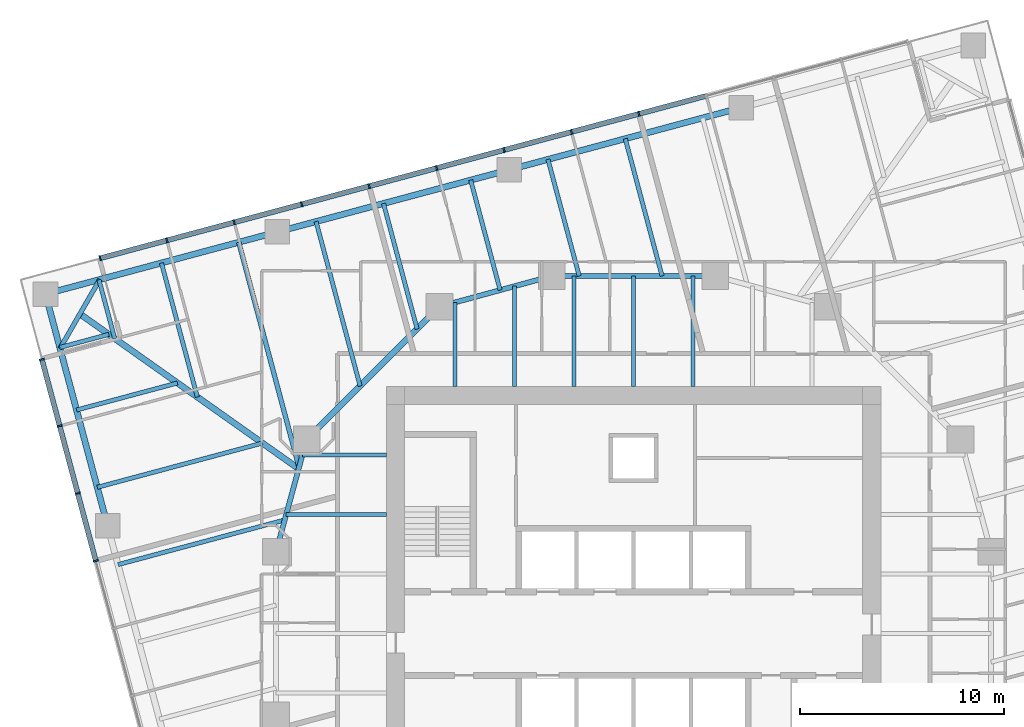
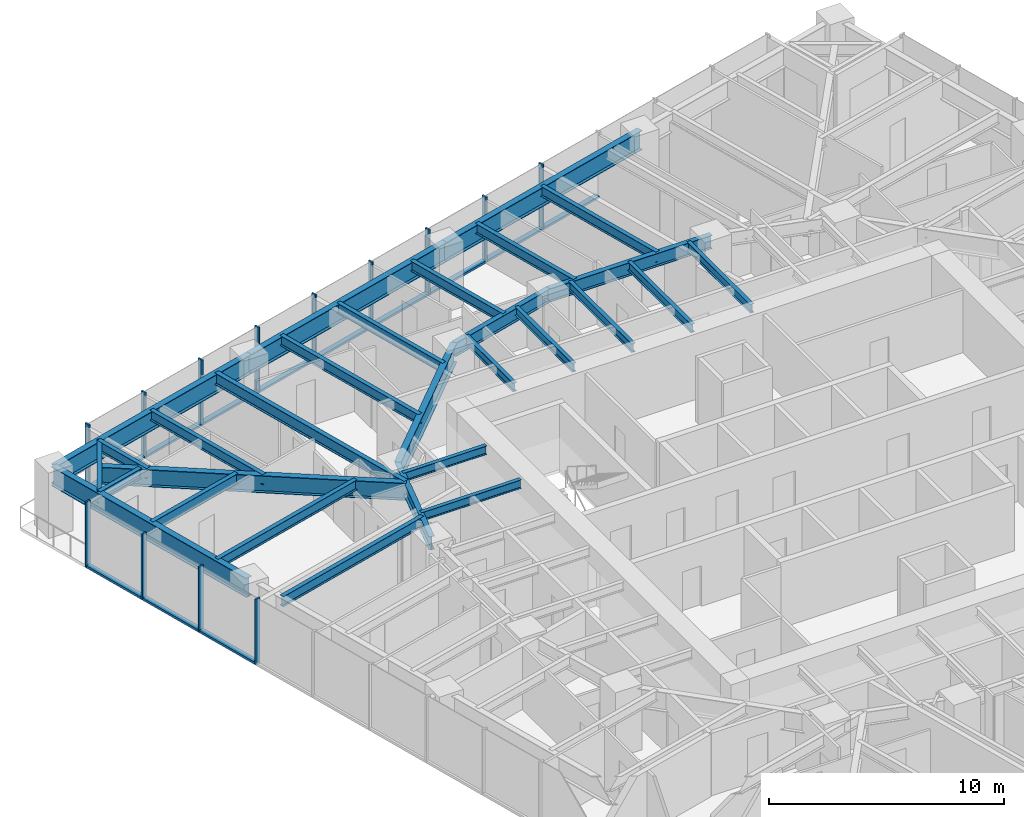
# One storey, part 5 of 15: 29 beams, 25 members, 2 elements without a shape of their own.
"""IFC4 building model written with IfcOpenShell, lengths in metres."""

from ifc_helpers import new_model, si_unit, direction, frame, origin, origin_2d, place, context, subcontext, project, spatial, rectangle, i_section, extrude, material, material_profile, profile_set, type_object, element, aggregate, save


model = new_model("IFC4")

# Units and contexts
model_context = context("Model", 3, precision=1e-05, world=origin(), true_north=direction((0.0, 1.0)))
body_context = subcontext(model_context, "Body", "Model", "MODEL_VIEW")
ifc_project = project(units=[si_unit("LENGTHUNIT", "METRE"), si_unit("AREAUNIT", "SQUARE_METRE"), si_unit("VOLUMEUNIT", "CUBIC_METRE"), si_unit("PLANEANGLEUNIT", "RADIAN"), si_unit("MASSUNIT", "GRAM", prefix="KILO")], contexts=[model_context])

# Site, building, storey
site_placement = place(None, origin())
site = spatial("IfcSite", under=ifc_project, at=site_placement, CompositionType="ELEMENT")
building_placement = place(site_placement, origin())
building = spatial("IfcBuilding", under=site, at=building_placement, Name="Torsade Residences", CompositionType="ELEMENT")
storey_placement = place(building_placement, frame((0.0, 0.0, 132.0)))
storey = spatial("IfcBuildingStorey", under=building, at=storey_placement, Name="L36", CompositionType="ELEMENT", Elevation=132.0)

# Beams
ifc_material_1 = material(Name="Steel grade 300", Category="steel")
ifc_material_profile_1 = material_profile(ifc_material_1, i_section(OverallWidth=0.300048828125, OverallDepth=0.89990234375, WebThickness=0.011962890625, FlangeThickness=0.02490234375, at=origin_2d()), Name="900WB175")
ifc_profile_set_1 = profile_set([ifc_material_profile_1], Name="Steel grade 300")
beam_type_1 = type_object("IfcBeamType", Name="CORNER GIRDER 900WB175", PredefinedType="BEAM", material=ifc_profile_set_1)
beam_1_placement = place(storey_placement, frame((12.902587890625, 45.644775390625, 2.800048828125), z_axis=(0.816261084801, -0.577683167004, 0.0), x_axis=(0.577683167004, 0.816261084801, 0.0)))
element("IfcBeam", 1, at=beam_1_placement, inside=storey, type_object=beam_type_1, Name="Corner girder 13 L37", PredefinedType="BEAM", context=body_context, shape_type="SweptSolid", body=[
    extrude(i_section(OverallWidth=0.300048828125, OverallDepth=0.89990234375, WebThickness=0.011962890625, FlangeThickness=0.02490234375, at=origin_2d()), origin(), (0.0, 0.0, 1.0), 13.116943359375),
])
ifc_material_2 = material(Name="Steel grade 300", Category="steel")
ifc_material_profile_2 = material_profile(ifc_material_2, i_section(OverallWidth=0.22802734375, OverallDepth=0.60205078125, WebThickness=0.010498046875, FlangeThickness=0.014892578125, FilletRadius=0.013916015625, at=origin_2d()), Name="610UB101")
ifc_profile_set_2 = profile_set([ifc_material_profile_2], Name="Steel grade 300")
beam_type_2 = type_object("IfcBeamType", Name="CORNER TRIMMER 610UB101", PredefinedType="BEAM", material=ifc_profile_set_2)
beam_2_placement = place(storey_placement, frame((11.93017578125, 43.960693359375, 2.948974609375), z_axis=(0.499994147244, 0.866028782848, 0.0), x_axis=(-0.866028782848, 0.499994147244, 0.0)))
element("IfcBeam", 2, at=beam_2_placement, inside=storey, type_object=beam_type_2, Name="Corner trimmer 13 L37", PredefinedType="BEAM", context=body_context, shape_type="SweptSolid", body=[
    extrude(i_section(OverallWidth=0.22802734375, OverallDepth=0.60205078125, WebThickness=0.010498046875, FlangeThickness=0.014892578125, FilletRadius=0.013916015625, at=origin_2d()), origin(), (0.0, 0.0, 1.0), 3.88916015625),
])
ifc_material_3 = material(Name="Steel grade 300", Category="steel")
ifc_material_profile_3 = material_profile(ifc_material_3, i_section(OverallWidth=0.300048828125, OverallDepth=1.0, WebThickness=0.01611328125, FlangeThickness=0.028076171875, at=origin_2d()), Name="1000WB215")
ifc_profile_set_3 = profile_set([ifc_material_profile_3], Name="Steel grade 300")
beam_type_3 = type_object("IfcBeamType", Name="EDGE BEAM 1000WB215", PredefinedType="SPANDREL", material=ifc_profile_set_3)
for number, where, z_axis, x_axis, name in (
    (3, (45.267333984375, 55.740478515625, 2.75), (-0.965922824118, -0.258830249097, 0.0), (0.258830249097, -0.965922824118, 0.0), "Edge beam 10 L37"),
    (4, (33.917724609375, 52.69921875, 2.75), (-0.965928018634, -0.258810863021, 0.0), (0.258810863021, -0.965928018634, 0.0), "Edge beam 11 L37"),
    (5, (22.568115234375, 49.658203125, 2.75), (-0.965922824118, -0.258830249097, 0.0), (0.258830249097, -0.965922824118, 0.0), "Edge beam 12 L37"),
    (6, (11.218505859375, 46.616943359375, 2.75), (0.258810863021, -0.965928018634, 0.0), (0.965928018634, 0.258810863021, 0.0), "Edge beam 13 L37"),
):
    element("IfcBeam", number, at=place(storey_placement, frame(where, z_axis=z_axis, x_axis=x_axis)), inside=storey, type_object=beam_type_3, Name=name, PredefinedType="SPANDREL", context=body_context, shape_type="SweptSolid", body=[
        extrude(i_section(OverallWidth=0.300048828125, OverallDepth=1.0, WebThickness=0.01611328125, FlangeThickness=0.028076171875, at=origin_2d()), origin(), (0.0, 0.0, 1.0), 11.75),
    ])
ifc_material_4 = material(Name="Steel grade 300", Category="steel")
ifc_material_profile_4 = material_profile(ifc_material_4, i_section(OverallWidth=0.18994140625, OverallDepth=0.4541015625, WebThickness=0.008544921875, FlangeThickness=0.0126953125, FilletRadius=0.011474609375, at=origin_2d()), Name="460UB67.1")
ifc_profile_set_4 = profile_set([ifc_material_profile_4], Name="Steel grade 300")
beam_type_4 = type_object("IfcBeamType", Name="INNER FLOOR BEAM 460UB67.1", PredefinedType="JOIST", material=ifc_profile_set_4)
beam_3_placement = place(storey_placement, frame((31.262451171875, 42.10009765625, 3.02294921875), z_axis=(0.0, 1.0, 0.0), x_axis=(-1.0, 0.0, 0.0)))
element("IfcBeam", 7, at=beam_3_placement, inside=storey, type_object=beam_type_4, Name="Inner floor beam IN01 L37", PredefinedType="JOIST", context=body_context, shape_type="SweptSolid", body=[
    extrude(i_section(OverallWidth=0.18994140625, OverallDepth=0.4541015625, WebThickness=0.008544921875, FlangeThickness=0.0126953125, FilletRadius=0.011474609375, at=origin_2d()), origin(), (0.0, 0.0, 1.0), 4.10791015625),
])
beam_4_placement = place(storey_placement, frame((34.175048828125, 42.10009765625, 3.02294921875), z_axis=(0.0, 1.0, 0.0), x_axis=(-1.0, 0.0, 0.0)))
element("IfcBeam", 8, at=beam_4_placement, inside=storey, type_object=beam_type_4, Name="Inner floor beam IN02 L37", PredefinedType="JOIST", context=body_context, shape_type="SweptSolid", body=[
    extrude(i_section(OverallWidth=0.18994140625, OverallDepth=0.4541015625, WebThickness=0.008544921875, FlangeThickness=0.0126953125, FilletRadius=0.011474609375, at=origin_2d()), origin(), (0.0, 0.0, 1.0), 4.902099609375),
])
for number, where, z_axis, x_axis, name in (
    (9, (37.08740234375, 42.10009765625, 3.02294921875), (0.0, 1.0, 0.0), (-1.0, 0.0, 0.0), "Inner floor beam IN03 L37"),
    (10, (40.0, 42.10009765625, 3.02294921875), (0.0, 1.0, 0.0), (-1.0, 0.0, 0.0), "Inner floor beam IN04 L37"),
    (11, (42.91259765625, 42.10009765625, 3.02294921875), (0.0, 1.0, 0.0), (-1.0, 0.0, 0.0), "Inner floor beam IN05 L37"),
):
    element("IfcBeam", number, at=place(storey_placement, frame(where, z_axis=z_axis, x_axis=x_axis)), inside=storey, type_object=beam_type_4, Name=name, PredefinedType="JOIST", context=body_context, shape_type="SweptSolid", body=[
        extrude(i_section(OverallWidth=0.18994140625, OverallDepth=0.4541015625, WebThickness=0.008544921875, FlangeThickness=0.0126953125, FilletRadius=0.011474609375, at=origin_2d()), origin(), (0.0, 0.0, 1.0), 5.39990234375),
    ])
beam_5_placement = place(storey_placement, frame((27.89990234375, 38.737548828125, 3.02294921875), z_axis=(-1.0, 0.0, 0.0), x_axis=(0.0, -1.0, 0.0)))
element("IfcBeam", 12, at=beam_5_placement, inside=storey, type_object=beam_type_4, Name="Inner floor beam IW01 L37", PredefinedType="JOIST", context=body_context, shape_type="SweptSolid", body=[
    extrude(i_section(OverallWidth=0.18994140625, OverallDepth=0.4541015625, WebThickness=0.008544921875, FlangeThickness=0.0126953125, FilletRadius=0.011474609375, at=origin_2d()), origin(), (0.0, 0.0, 1.0), 4.10791015625),
])
beam_6_placement = place(storey_placement, frame((27.89990234375, 35.824951171875, 3.02294921875), z_axis=(-1.0, 0.0, 0.0), x_axis=(0.0, -1.0, 0.0)))
element("IfcBeam", 13, at=beam_6_placement, inside=storey, type_object=beam_type_4, Name="Inner floor beam IW02 L37", PredefinedType="JOIST", context=body_context, shape_type="SweptSolid", body=[
    extrude(i_section(OverallWidth=0.18994140625, OverallDepth=0.4541015625, WebThickness=0.008544921875, FlangeThickness=0.0126953125, FilletRadius=0.011474609375, at=origin_2d()), origin(), (0.0, 0.0, 1.0), 4.902099609375),
])

# Curtain wall, members
ifc_material_5 = material(Name="Aluminium and glass", Category="aluminium")
curtain_wall_type = type_object("IfcCurtainWallType", Name="FRITTED GLASS CURTAIN WALL MID ZONE", PredefinedType="NOTDEFINED", material=ifc_material_5)
curtain_wall_1_placement = place(storey_placement, origin())
curtain_wall_1 = element("IfcCurtainWall", 14, at=curtain_wall_1_placement, inside=storey, type_object=curtain_wall_type, Name="Curtain wall L36 face 7", PredefinedType="NOTDEFINED")
ifc_material_6 = material(Name="Aluminium mullion", Category="aluminium")
ifc_material_profile_5 = material_profile(ifc_material_6, rectangle(XDim=0.25, YDim=0.080078125, at=origin_2d()), Name="MID ZONE CURTAIN WALL MULLION 250x80")
ifc_profile_set_5 = profile_set([ifc_material_profile_5], Name="Aluminium mullion")
member_type_1 = type_object("IfcMemberType", Name="MID ZONE CURTAIN WALL MULLION 250x80", PredefinedType="MULLION", material=ifc_profile_set_5)
member_1_placement = place(storey_placement, frame((40.259521484375, 55.433837890625, 0.0), z_axis=(0.0, 0.0, 1.0), x_axis=(0.258819047783, -0.965925825571, 0.0)))
member_1 = element("IfcMember", 15, at=member_1_placement, type_object=member_type_1, Name="Mullion 5", PredefinedType="MULLION", context=body_context, shape_type="SweptSolid", body=[
    extrude(rectangle(XDim=0.25, YDim=0.080078125, at=origin_2d()), origin(), (0.0, 0.0, 1.0), 3.39990234375),
])
member_2_placement = place(storey_placement, frame((36.959228515625, 54.549560546875, 0.0), z_axis=(0.0, 0.0, 1.0), x_axis=(0.258819047783, -0.965925825571, 0.0)))
member_2 = element("IfcMember", 16, at=member_2_placement, type_object=member_type_1, Name="Mullion 6", PredefinedType="MULLION", context=body_context, shape_type="SweptSolid", body=[
    extrude(rectangle(XDim=0.25, YDim=0.080078125, at=origin_2d()), origin(), (0.0, 0.0, 1.0), 3.39990234375),
])
member_3_placement = place(storey_placement, frame((33.658935546875, 53.665283203125, 0.0), z_axis=(0.0, 0.0, 1.0), x_axis=(0.258819047783, -0.965925825571, 0.0)))
member_3 = element("IfcMember", 17, at=member_3_placement, type_object=member_type_1, Name="Mullion 7", PredefinedType="MULLION", context=body_context, shape_type="SweptSolid", body=[
    extrude(rectangle(XDim=0.25, YDim=0.080078125, at=origin_2d()), origin(), (0.0, 0.0, 1.0), 3.39990234375),
])
member_4_placement = place(storey_placement, frame((30.358642578125, 52.781005859375, 0.0), z_axis=(0.0, 0.0, 1.0), x_axis=(0.258819047783, -0.965925825571, 0.0)))
member_4 = element("IfcMember", 18, at=member_4_placement, type_object=member_type_1, Name="Mullion 8", PredefinedType="MULLION", context=body_context, shape_type="SweptSolid", body=[
    extrude(rectangle(XDim=0.25, YDim=0.080078125, at=origin_2d()), origin(), (0.0, 0.0, 1.0), 3.39990234375),
])
member_5_placement = place(storey_placement, frame((27.058349609375, 51.896484375, 0.0), z_axis=(0.0, 0.0, 1.0), x_axis=(0.258819047783, -0.965925825571, 0.0)))
member_5 = element("IfcMember", 19, at=member_5_placement, type_object=member_type_1, Name="Mullion 9", PredefinedType="MULLION", context=body_context, shape_type="SweptSolid", body=[
    extrude(rectangle(XDim=0.25, YDim=0.080078125, at=origin_2d()), origin(), (0.0, 0.0, 1.0), 3.39990234375),
])
member_6_placement = place(storey_placement, frame((23.75830078125, 51.01220703125, 0.0), z_axis=(0.0, 0.0, 1.0), x_axis=(0.258819047783, -0.965925825571, 0.0)))
member_6 = element("IfcMember", 20, at=member_6_placement, type_object=member_type_1, Name="Mullion 10", PredefinedType="MULLION", context=body_context, shape_type="SweptSolid", body=[
    extrude(rectangle(XDim=0.25, YDim=0.080078125, at=origin_2d()), origin(), (0.0, 0.0, 1.0), 3.39990234375),
])
member_7_placement = place(storey_placement, frame((20.4580078125, 50.1279296875, 0.0), z_axis=(0.0, 0.0, 1.0), x_axis=(0.258819047783, -0.965925825571, 0.0)))
member_7 = element("IfcMember", 21, at=member_7_placement, type_object=member_type_1, Name="Mullion 11", PredefinedType="MULLION", context=body_context, shape_type="SweptSolid", body=[
    extrude(rectangle(XDim=0.25, YDim=0.080078125, at=origin_2d()), origin(), (0.0, 0.0, 1.0), 3.39990234375),
])
member_8_placement = place(storey_placement, frame((17.15771484375, 49.24365234375, 0.0), z_axis=(0.0, 0.0, 1.0), x_axis=(0.258819047783, -0.965925825571, 0.0)))
member_8 = element("IfcMember", 22, at=member_8_placement, type_object=member_type_1, Name="Mullion 12", PredefinedType="MULLION", context=body_context, shape_type="SweptSolid", body=[
    extrude(rectangle(XDim=0.25, YDim=0.080078125, at=origin_2d()), origin(), (0.0, 0.0, 1.0), 3.39990234375),
])
member_9_placement = place(storey_placement, frame((13.89599609375, 48.36962890625, 0.0), z_axis=(0.0, 0.0, 1.0), x_axis=(0.258819047783, -0.965925825571, 0.0)))
member_9 = element("IfcMember", 23, at=member_9_placement, type_object=member_type_1, Name="Mullion 13", PredefinedType="MULLION", context=body_context, shape_type="SweptSolid", body=[
    extrude(rectangle(XDim=0.25, YDim=0.080078125, at=origin_2d()), origin(), (0.0, 0.0, 1.0), 3.39990234375),
])

curtain_wall_2_placement = place(storey_placement, origin())
curtain_wall_2 = element("IfcCurtainWall", 24, at=curtain_wall_2_placement, inside=storey, type_object=curtain_wall_type, Name="Curtain wall L36 face 10", PredefinedType="NOTDEFINED")
member_10_placement = place(storey_placement, frame((11.039306640625, 43.421875, 0.0), z_axis=(0.0, 0.0, 1.0), x_axis=(0.965925825571, 0.258819047783, 0.0)))
member_10 = element("IfcMember", 25, at=member_10_placement, type_object=member_type_1, Name="Mullion 1", PredefinedType="MULLION", context=body_context, shape_type="SweptSolid", body=[
    extrude(rectangle(XDim=0.25, YDim=0.080078125, at=origin_2d()), origin(), (0.0, 0.0, 1.0), 3.39990234375),
])
member_11_placement = place(storey_placement, frame((11.913330078125, 40.16015625, 0.0), z_axis=(0.0, 0.0, 1.0), x_axis=(0.965925825571, 0.258819047783, 0.0)))
member_11 = element("IfcMember", 26, at=member_11_placement, type_object=member_type_1, Name="Mullion 2", PredefinedType="MULLION", context=body_context, shape_type="SweptSolid", body=[
    extrude(rectangle(XDim=0.25, YDim=0.080078125, at=origin_2d()), origin(), (0.0, 0.0, 1.0), 3.39990234375),
])
member_12_placement = place(storey_placement, frame((12.797607421875, 36.85986328125, 0.0), z_axis=(0.0, 0.0, 1.0), x_axis=(0.965925825571, 0.258819047783, 0.0)))
member_12 = element("IfcMember", 27, at=member_12_placement, type_object=member_type_1, Name="Mullion 3", PredefinedType="MULLION", context=body_context, shape_type="SweptSolid", body=[
    extrude(rectangle(XDim=0.25, YDim=0.080078125, at=origin_2d()), origin(), (0.0, 0.0, 1.0), 3.39990234375),
])
member_13_placement = place(storey_placement, frame((13.681884765625, 33.5595703125, 0.0), z_axis=(0.0, 0.0, 1.0), x_axis=(0.965925825571, 0.258819047783, 0.0)))
member_13 = element("IfcMember", 28, at=member_13_placement, type_object=member_type_1, Name="Mullion 4", PredefinedType="MULLION", context=body_context, shape_type="SweptSolid", body=[
    extrude(rectangle(XDim=0.25, YDim=0.080078125, at=origin_2d()), origin(), (0.0, 0.0, 1.0), 3.39990234375),
])

# Member
ifc_material_7 = material(Name="Aluminium transom", Category="aluminium")
ifc_material_profile_6 = material_profile(ifc_material_7, rectangle(XDim=0.25, YDim=0.110107421875, at=origin_2d()), Name="MID ZONE CURTAIN WALL TRANSOM 250x110")
ifc_profile_set_6 = profile_set([ifc_material_profile_6], Name="Aluminium transom")
member_type_2 = type_object("IfcMemberType", Name="MID ZONE CURTAIN WALL TRANSOM 250x110", PredefinedType="USERDEFINED", material=ifc_profile_set_6)
member_14_placement = place(storey_placement, frame((43.52099609375, 56.3076171875, 0.054931640625), z_axis=(-0.965929435155, -0.258805576255, 0.0), x_axis=(0.258805576255, -0.965929435155, 0.0)))
member_14 = element("IfcMember", 29, at=member_14_placement, type_object=member_type_2, Name="Transom 4.1", ObjectType="TRANSOM", PredefinedType="USERDEFINED", context=body_context, shape_type="SweptSolid", body=[
    extrude(rectangle(XDim=0.25, YDim=0.110107421875, at=origin_2d()), origin(), (0.0, 0.0, 1.0), 3.336669921875),
])

member_15_placement = place(storey_placement, frame((40.220703125, 55.42333984375, 0.054931640625), z_axis=(-0.965929435155, -0.258805576255, 0.0), x_axis=(0.258805576255, -0.965929435155, 0.0)))
member_15 = element("IfcMember", 30, at=member_15_placement, type_object=member_type_2, Name="Transom 5.1", ObjectType="TRANSOM", PredefinedType="USERDEFINED", context=body_context, shape_type="SweptSolid", body=[
    extrude(rectangle(XDim=0.25, YDim=0.110107421875, at=origin_2d()), origin(), (0.0, 0.0, 1.0), 3.336669921875),
])

member_16_placement = place(storey_placement, frame((36.920654296875, 54.5390625, 0.054931640625), z_axis=(-0.965934335648, -0.258787285653, 0.0), x_axis=(0.258787285653, -0.965934335648, 0.0)))
member_16 = element("IfcMember", 31, at=member_16_placement, type_object=member_type_2, Name="Transom 6.1", ObjectType="TRANSOM", PredefinedType="USERDEFINED", context=body_context, shape_type="SweptSolid", body=[
    extrude(rectangle(XDim=0.25, YDim=0.110107421875, at=origin_2d()), origin(), (0.0, 0.0, 1.0), 3.3369140625),
])

member_17_placement = place(storey_placement, frame((33.620361328125, 53.65478515625, 0.054931640625), z_axis=(-0.965934335648, -0.258787285653, 0.0), x_axis=(0.258787285653, -0.965934335648, 0.0)))
member_17 = element("IfcMember", 32, at=member_17_placement, type_object=member_type_2, Name="Transom 7.1", ObjectType="TRANSOM", PredefinedType="USERDEFINED", context=body_context, shape_type="SweptSolid", body=[
    extrude(rectangle(XDim=0.25, YDim=0.110107421875, at=origin_2d()), origin(), (0.0, 0.0, 1.0), 3.3369140625),
])

member_18_placement = place(storey_placement, frame((30.320068359375, 52.7705078125, 0.054931640625), z_axis=(-0.965929435155, -0.258805576255, 0.0), x_axis=(0.258805576255, -0.965929435155, 0.0)))
member_18 = element("IfcMember", 33, at=member_18_placement, type_object=member_type_2, Name="Transom 8.1", ObjectType="TRANSOM", PredefinedType="USERDEFINED", context=body_context, shape_type="SweptSolid", body=[
    extrude(rectangle(XDim=0.25, YDim=0.110107421875, at=origin_2d()), origin(), (0.0, 0.0, 1.0), 3.336669921875),
])

member_19_placement = place(storey_placement, frame((27.019775390625, 51.88623046875, 0.054931640625), z_axis=(-0.965929435155, -0.258805576255, 0.0), x_axis=(0.258805576255, -0.965929435155, 0.0)))
member_19 = element("IfcMember", 34, at=member_19_placement, type_object=member_type_2, Name="Transom 9.1", ObjectType="TRANSOM", PredefinedType="USERDEFINED", context=body_context, shape_type="SweptSolid", body=[
    extrude(rectangle(XDim=0.25, YDim=0.110107421875, at=origin_2d()), origin(), (0.0, 0.0, 1.0), 3.336669921875),
])

member_20_placement = place(storey_placement, frame((23.719482421875, 51.001953125, 0.054931640625), z_axis=(-0.965929435155, -0.258805576255, 0.0), x_axis=(0.258805576255, -0.965929435155, 0.0)))
member_20 = element("IfcMember", 35, at=member_20_placement, type_object=member_type_2, Name="Transom 10.1", ObjectType="TRANSOM", PredefinedType="USERDEFINED", context=body_context, shape_type="SweptSolid", body=[
    extrude(rectangle(XDim=0.25, YDim=0.110107421875, at=origin_2d()), origin(), (0.0, 0.0, 1.0), 3.336669921875),
])

member_21_placement = place(storey_placement, frame((20.419189453125, 50.11767578125, 0.054931640625), z_axis=(-0.965929435155, -0.258805576255, 0.0), x_axis=(0.258805576255, -0.965929435155, 0.0)))
member_21 = element("IfcMember", 36, at=member_21_placement, type_object=member_type_2, Name="Transom 11.1", ObjectType="TRANSOM", PredefinedType="USERDEFINED", context=body_context, shape_type="SweptSolid", body=[
    extrude(rectangle(XDim=0.25, YDim=0.110107421875, at=origin_2d()), origin(), (0.0, 0.0, 1.0), 3.336669921875),
])

member_22_placement = place(storey_placement, frame((17.119140625, 49.2333984375, 0.054931640625), z_axis=(-0.965923258633, -0.258828627534, 0.0), x_axis=(0.258828627534, -0.965923258633, 0.0)))
member_22 = element("IfcMember", 37, at=member_22_placement, type_object=member_type_2, Name="Transom 12.1", ObjectType="TRANSOM", PredefinedType="USERDEFINED", context=body_context, shape_type="SweptSolid", body=[
    extrude(rectangle(XDim=0.25, YDim=0.110107421875, at=origin_2d()), origin(), (0.0, 0.0, 1.0), 3.296630859375),
])

aggregate(curtain_wall_1, [member_1, member_2, member_3, member_4, member_5, member_6, member_7, member_8, member_9, member_14, member_15, member_16, member_17, member_18, member_19, member_20, member_21, member_22])

member_23_placement = place(storey_placement, frame((11.0498046875, 43.383056640625, 0.054931640625), z_axis=(0.258828627534, -0.965923258633, 0.0), x_axis=(0.965923258633, 0.258828627534, 0.0)))
member_23 = element("IfcMember", 38, at=member_23_placement, type_object=member_type_2, Name="Transom 1.1", ObjectType="TRANSOM", PredefinedType="USERDEFINED", context=body_context, shape_type="SweptSolid", body=[
    extrude(rectangle(XDim=0.25, YDim=0.110107421875, at=origin_2d()), origin(), (0.0, 0.0, 1.0), 3.296630859375),
])

member_24_placement = place(storey_placement, frame((11.923583984375, 40.12158203125, 0.054931640625), z_axis=(0.258855549498, -0.965916044226, 0.0), x_axis=(0.965916044226, 0.258855549498, 0.0)))
member_24 = element("IfcMember", 39, at=member_24_placement, type_object=member_type_2, Name="Transom 2.1", ObjectType="TRANSOM", PredefinedType="USERDEFINED", context=body_context, shape_type="SweptSolid", body=[
    extrude(rectangle(XDim=0.25, YDim=0.110107421875, at=origin_2d()), origin(), (0.0, 0.0, 1.0), 3.3369140625),
])

member_25_placement = place(storey_placement, frame((12.807861328125, 36.8212890625, 0.054931640625), z_axis=(0.258873844232, -0.96591114124, 0.0), x_axis=(0.96591114124, 0.258873844232, 0.0)))
member_25 = element("IfcMember", 40, at=member_25_placement, type_object=member_type_2, Name="Transom 3.1", ObjectType="TRANSOM", PredefinedType="USERDEFINED", context=body_context, shape_type="SweptSolid", body=[
    extrude(rectangle(XDim=0.25, YDim=0.110107421875, at=origin_2d()), origin(), (0.0, 0.0, 1.0), 3.336669921875),
])

aggregate(curtain_wall_2, [member_10, member_11, member_12, member_13, member_23, member_24, member_25])

# Beams
ifc_material_8 = material(Name="Steel grade 300", Category="steel")
ifc_material_profile_7 = material_profile(ifc_material_8, i_section(OverallWidth=0.300048828125, OverallDepth=1.0, WebThickness=0.01611328125, FlangeThickness=0.028076171875, at=origin_2d()), Name="1000WB215")
ifc_profile_set_7 = profile_set([ifc_material_profile_7], Name="Steel grade 300")
beam_type_5 = type_object("IfcBeamType", Name="RING CORNER GIRDER 1000WB215", PredefinedType="BEAM", material=ifc_profile_set_7)
beam_7_placement = place(storey_placement, frame((30.5, 46.0, 2.75), z_axis=(-0.707106781187, -0.707106781187, 0.0), x_axis=(0.707106781187, -0.707106781187, 0.0)))
element("IfcBeam", 41, at=beam_7_placement, inside=storey, type_object=beam_type_5, Name="Ring girder IR07 L37", PredefinedType="BEAM", context=body_context, shape_type="SweptSolid", body=[
    extrude(i_section(OverallWidth=0.300048828125, OverallDepth=1.0, WebThickness=0.01611328125, FlangeThickness=0.028076171875, at=origin_2d()), origin(), (0.0, 0.0, 1.0), 9.1923828125),
])
ifc_material_9 = material(Name="Steel grade 300", Category="steel")
ifc_material_profile_8 = material_profile(ifc_material_9, i_section(OverallWidth=0.25, OverallDepth=0.699951171875, WebThickness=0.010009765625, FlangeThickness=0.02001953125, at=origin_2d()), Name="700WB130")
ifc_profile_set_8 = profile_set([ifc_material_profile_8], Name="Steel grade 300")
beam_type_6 = type_object("IfcBeamType", Name="RING GIRDER 700WB130", PredefinedType="BEAM", material=ifc_profile_set_8)
beam_8_placement = place(storey_placement, frame((44.0, 47.5, 2.89990234375), z_axis=(-1.0, 0.0, 0.0), x_axis=(0.0, -1.0, 0.0)))
element("IfcBeam", 42, at=beam_8_placement, inside=storey, type_object=beam_type_6, Name="Ring girder IR05 L37", PredefinedType="BEAM", context=body_context, shape_type="SweptSolid", body=[
    extrude(i_section(OverallWidth=0.25, OverallDepth=0.699951171875, WebThickness=0.010009765625, FlangeThickness=0.02001953125, at=origin_2d()), origin(), (0.0, 0.0, 1.0), 8.0),
])
for number, where, z_axis, x_axis, name in (
    (43, (36.0, 47.5, 2.89990234375), (-0.964763821238, -0.263117405792, 0.0), (0.263117405792, -0.964763821238, 0.0), "Ring girder IR06 L37"),
    (44, (24.0, 39.5, 2.89990234375), (-0.263117405792, -0.964763821238, 0.0), (0.964763821238, -0.263117405792, 0.0), "Ring girder IR08 L37"),
):
    element("IfcBeam", number, at=place(storey_placement, frame(where, z_axis=z_axis, x_axis=x_axis)), inside=storey, type_object=beam_type_6, Name=name, PredefinedType="BEAM", context=body_context, shape_type="SweptSolid", body=[
        extrude(i_section(OverallWidth=0.25, OverallDepth=0.699951171875, WebThickness=0.010009765625, FlangeThickness=0.02001953125, at=origin_2d()), origin(), (0.0, 0.0, 1.0), 5.700927734375),
    ])
ifc_material_10 = material(Name="Steel grade 300", Category="steel")
ifc_material_profile_9 = material_profile(ifc_material_10, i_section(OverallWidth=0.208984375, OverallDepth=0.528076171875, WebThickness=0.009521484375, FlangeThickness=0.01318359375, FilletRadius=0.013916015625, at=origin_2d()), Name="530UB82.0")
ifc_profile_set_9 = profile_set([ifc_material_profile_9], Name="Steel grade 300")
beam_type_7 = type_object("IfcBeamType", Name="SECONDARY BEAM 530UB82.0", PredefinedType="JOIST", material=ifc_profile_set_9)
beam_9_placement = place(storey_placement, frame((39.592529296875, 54.2197265625, 2.986083984375), z_axis=(0.258817945835, -0.965926120836, 0.0), x_axis=(0.965926120836, 0.258817945835, 0.0)))
element("IfcBeam", 45, at=beam_9_placement, inside=storey, type_object=beam_type_7, Name="Floor beam FN05 L37", PredefinedType="JOIST", context=body_context, shape_type="SweptSolid", body=[
    extrude(i_section(OverallWidth=0.208984375, OverallDepth=0.528076171875, WebThickness=0.009521484375, FlangeThickness=0.01318359375, FilletRadius=0.013916015625, at=origin_2d()), origin(), (0.0, 0.0, 1.0), 6.956787109375),
])
beam_10_placement = place(storey_placement, frame((35.809326171875, 53.2060546875, 2.986083984375), z_axis=(0.258837996141, -0.965920748174, 0.0), x_axis=(0.965920748174, 0.258837996141, 0.0)))
element("IfcBeam", 46, at=beam_10_placement, inside=storey, type_object=beam_type_7, Name="Floor beam FN06 L37", PredefinedType="JOIST", context=body_context, shape_type="SweptSolid", body=[
    extrude(i_section(OverallWidth=0.208984375, OverallDepth=0.528076171875, WebThickness=0.009521484375, FlangeThickness=0.01318359375, FilletRadius=0.013916015625, at=origin_2d()), origin(), (0.0, 0.0, 1.0), 5.907470703125),
])
beam_11_placement = place(storey_placement, frame((32.026123046875, 52.1923828125, 2.986083984375), z_axis=(0.258829517553, -0.965923020144, 0.0), x_axis=(0.965923020144, 0.258829517553, 0.0)))
element("IfcBeam", 47, at=beam_11_placement, inside=storey, type_object=beam_type_7, Name="Floor beam FN07 L37", PredefinedType="JOIST", context=body_context, shape_type="SweptSolid", body=[
    extrude(i_section(OverallWidth=0.208984375, OverallDepth=0.528076171875, WebThickness=0.009521484375, FlangeThickness=0.01318359375, FilletRadius=0.013916015625, at=origin_2d()), origin(), (0.0, 0.0, 1.0), 5.57275390625),
])
beam_12_placement = place(storey_placement, frame((27.760009765625, 51.04931640625, 2.986083984375), z_axis=(0.258804520856, -0.965929717932, 0.0), x_axis=(0.965929717932, 0.258804520856, 0.0)))
element("IfcBeam", 48, at=beam_12_placement, inside=storey, type_object=beam_type_7, Name="Floor beam FN08 L37", PredefinedType="JOIST", context=body_context, shape_type="SweptSolid", body=[
    extrude(i_section(OverallWidth=0.208984375, OverallDepth=0.528076171875, WebThickness=0.009521484375, FlangeThickness=0.01318359375, FilletRadius=0.013916015625, at=origin_2d()), origin(), (0.0, 0.0, 1.0), 6.360107421875),
])
beam_13_placement = place(storey_placement, frame((24.459716796875, 50.1650390625, 2.986083984375), z_axis=(0.258833232221, -0.96592202475, 0.0), x_axis=(0.96592202475, 0.258833232221, 0.0)))
element("IfcBeam", 49, at=beam_13_placement, inside=storey, type_object=beam_type_7, Name="Floor beam FN09 L37", PredefinedType="JOIST", context=body_context, shape_type="SweptSolid", body=[
    extrude(i_section(OverallWidth=0.208984375, OverallDepth=0.528076171875, WebThickness=0.009521484375, FlangeThickness=0.01318359375, FilletRadius=0.013916015625, at=origin_2d()), origin(), (0.0, 0.0, 1.0), 8.33251953125),
])
beam_14_placement = place(storey_placement, frame((16.893310546875, 48.137451171875, 2.986083984375), z_axis=(0.258814533235, -0.965927035229, 0.0), x_axis=(0.965927035229, 0.258814533235, 0.0)))
element("IfcBeam", 50, at=beam_14_placement, inside=storey, type_object=beam_type_7, Name="Floor beam FN11 L37", PredefinedType="JOIST", context=body_context, shape_type="SweptSolid", body=[
    extrude(i_section(OverallWidth=0.208984375, OverallDepth=0.528076171875, WebThickness=0.009521484375, FlangeThickness=0.01318359375, FilletRadius=0.013916015625, at=origin_2d()), origin(), (0.0, 0.0, 1.0), 6.792724609375),
])
beam_15_placement = place(storey_placement, frame((13.83447265625, 47.31787109375, 2.986083984375), z_axis=(0.258865750242, -0.965913310475, 0.0), x_axis=(0.965913310475, 0.258865750242, 0.0)))
element("IfcBeam", 51, at=beam_15_placement, inside=storey, type_object=beam_type_7, Name="Floor beam FN12 L37", PredefinedType="JOIST", context=body_context, shape_type="SweptSolid", body=[
    extrude(i_section(OverallWidth=0.208984375, OverallDepth=0.528076171875, WebThickness=0.009521484375, FlangeThickness=0.01318359375, FilletRadius=0.013916015625, at=origin_2d()), origin(), (0.0, 0.0, 1.0), 2.980224609375),
])
beam_16_placement = place(storey_placement, frame((11.91943359375, 44.0009765625, 2.986083984375), z_axis=(0.965920834438, 0.258837674225, 0.0), x_axis=(-0.258837674225, 0.965920834438, 0.0)))
element("IfcBeam", 52, at=beam_16_placement, inside=storey, type_object=beam_type_7, Name="Floor beam FW01 L37", PredefinedType="JOIST", context=body_context, shape_type="SweptSolid", body=[
    extrude(i_section(OverallWidth=0.208984375, OverallDepth=0.528076171875, WebThickness=0.009521484375, FlangeThickness=0.01318359375, FilletRadius=0.013916015625, at=origin_2d()), origin(), (0.0, 0.0, 1.0), 2.482666015625),
])
beam_17_placement = place(storey_placement, frame((12.739013671875, 40.942138671875, 2.986083984375), z_axis=(0.965926736728, 0.258815647274, 0.0), x_axis=(-0.258815647274, 0.965926736728, 0.0)))
element("IfcBeam", 53, at=beam_17_placement, inside=storey, type_object=beam_type_7, Name="Floor beam FW02 L37", PredefinedType="JOIST", context=body_context, shape_type="SweptSolid", body=[
    extrude(i_section(OverallWidth=0.208984375, OverallDepth=0.528076171875, WebThickness=0.009521484375, FlangeThickness=0.01318359375, FilletRadius=0.013916015625, at=origin_2d()), origin(), (0.0, 0.0, 1.0), 5.11279296875),
])
beam_18_placement = place(storey_placement, frame((13.752685546875, 37.158935546875, 2.986083984375), z_axis=(0.965924734258, 0.258823120582, 0.0), x_axis=(-0.258823120582, 0.965924734258, 0.0)))
element("IfcBeam", 54, at=beam_18_placement, inside=storey, type_object=beam_type_7, Name="Floor beam FW03 L37", PredefinedType="JOIST", context=body_context, shape_type="SweptSolid", body=[
    extrude(i_section(OverallWidth=0.208984375, OverallDepth=0.528076171875, WebThickness=0.009521484375, FlangeThickness=0.01318359375, FilletRadius=0.013916015625, at=origin_2d()), origin(), (0.0, 0.0, 1.0), 8.365966796875),
])
beam_19_placement = place(storey_placement, frame((14.766357421875, 33.375732421875, 2.986083984375), z_axis=(0.965928701223, 0.258808315464, 0.0), x_axis=(-0.258808315464, 0.965928701223, 0.0)))
element("IfcBeam", 55, at=beam_19_placement, inside=storey, type_object=beam_type_7, Name="Floor beam FW04 L37", PredefinedType="JOIST", context=body_context, shape_type="SweptSolid", body=[
    extrude(i_section(OverallWidth=0.208984375, OverallDepth=0.528076171875, WebThickness=0.009521484375, FlangeThickness=0.01318359375, FilletRadius=0.013916015625, at=origin_2d()), origin(), (0.0, 0.0, 1.0), 8.447509765625),
])
ifc_material_11 = material(Name="Steel grade 300", Category="steel")
ifc_material_profile_10 = material_profile(ifc_material_11, i_section(OverallWidth=0.22900390625, OverallDepth=0.612060546875, WebThickness=0.011962890625, FlangeThickness=0.01953125, FilletRadius=0.013916015625, at=origin_2d()), Name="610UB125")
ifc_profile_set_10 = profile_set([ifc_material_profile_10], Name="Steel grade 300")
beam_type_8 = type_object("IfcBeamType", Name="SECONDARY BEAM 610UB125", PredefinedType="JOIST", material=ifc_profile_set_10)
beam_20_placement = place(storey_placement, frame((20.676513671875, 49.1513671875, 2.944091796875), z_axis=(0.258807068179, -0.965929035417, 0.0), x_axis=(0.965929035417, 0.258807068179, 0.0)))
element("IfcBeam", 56, at=beam_20_placement, inside=storey, type_object=beam_type_8, Name="Floor beam FN10 L37", PredefinedType="JOIST", context=body_context, shape_type="SweptSolid", body=[
    extrude(i_section(OverallWidth=0.22900390625, OverallDepth=0.612060546875, WebThickness=0.011962890625, FlangeThickness=0.01953125, FilletRadius=0.013916015625, at=origin_2d()), origin(), (0.0, 0.0, 1.0), 11.40380859375),
])

save(model, "model.ifc")
